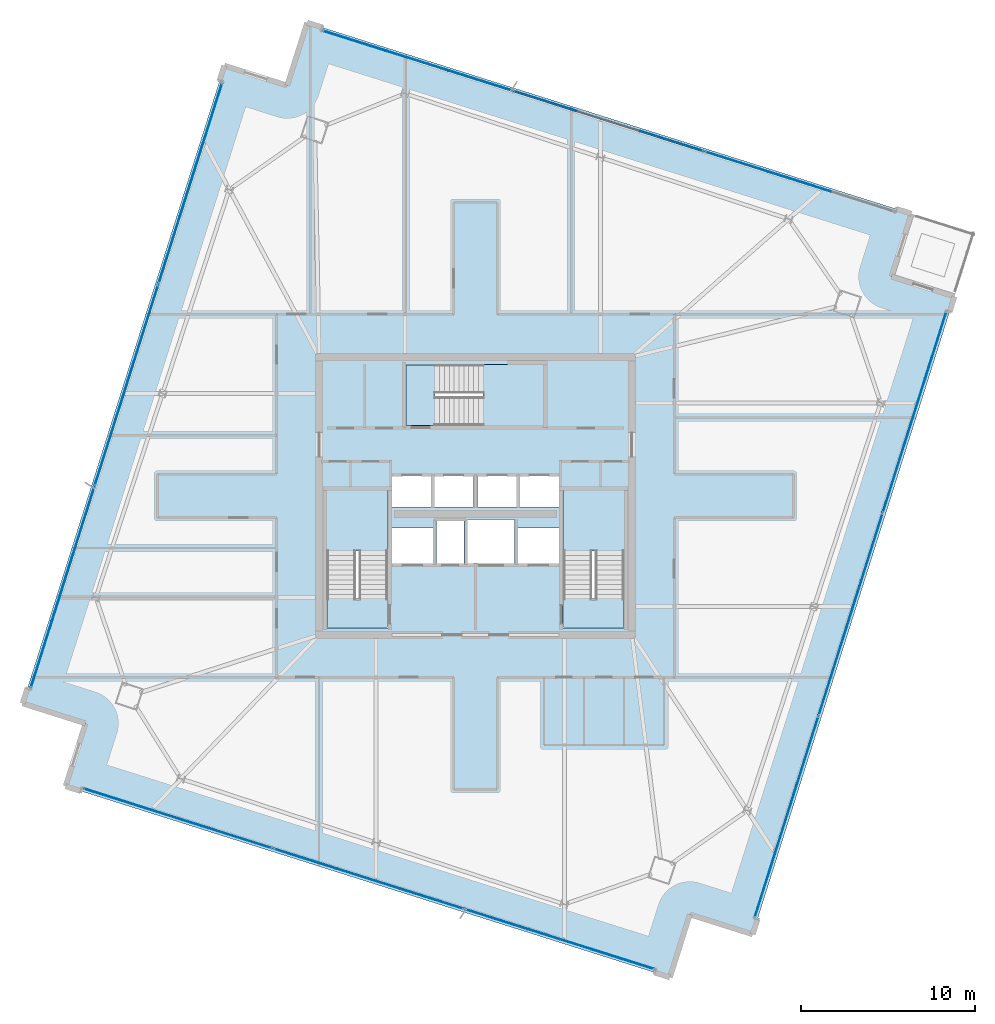
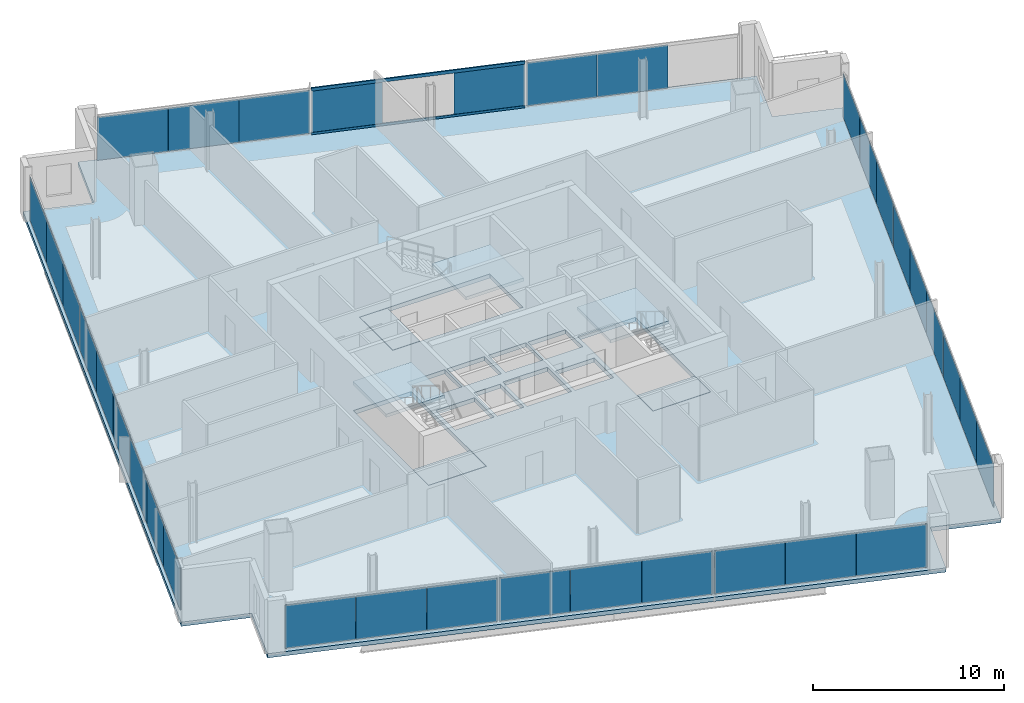
# One storey, part 17 of 26: 34 plates, 7 slabs, 2 members, 7 elements without a shape of their own.
"""IFC4 building model written with IfcOpenShell, lengths in metres."""

from ifc_helpers import new_model, si_unit, direction, frame, origin, origin_2d, place, context, subcontext, project, spatial, polyline, rectangle, hollow_rectangle, outline, extrude, source, transform, mapped, material, layer, layer_set, material_profile, profile_set, type_object, element, aggregate, save


model = new_model("IFC4")

# Units and contexts
model_context = context("Model", 3, precision=1e-05, world=origin(), true_north=direction((0.0, 1.0)))
body_context = subcontext(model_context, "Body", "Model", "MODEL_VIEW")
ifc_project = project(units=[si_unit("LENGTHUNIT", "METRE"), si_unit("AREAUNIT", "SQUARE_METRE"), si_unit("VOLUMEUNIT", "CUBIC_METRE"), si_unit("PLANEANGLEUNIT", "RADIAN"), si_unit("MASSUNIT", "GRAM", prefix="KILO")], contexts=[model_context])

# Site, building, storey
site_placement = place(None, origin())
site = spatial("IfcSite", under=ifc_project, at=site_placement, CompositionType="ELEMENT")
building_placement = place(site_placement, origin())
building = spatial("IfcBuilding", under=site, at=building_placement, Name="Haldenkirk Collegiate Tower", CompositionType="ELEMENT")
storey_placement = place(building_placement, frame((0.0, 0.0, 271.199951171875)))
storey = spatial("IfcBuildingStorey", under=building, at=storey_placement, Name="L68", CompositionType="ELEMENT", Elevation=271.199951171875)

# Curtain wall, members
ifc_material_1 = material(Name="Anodised architectural bronze aluminium", Category="aluminium")
curtain_wall_type_1 = type_object("IfcCurtainWallType", Name="CW-SYS1B-CONVEX-HI", PredefinedType="USERDEFINED", material=ifc_material_1)
curtain_wall_1_placement = place(storey_placement, origin())
curtain_wall_1 = element("IfcCurtainWall", 1, at=curtain_wall_1_placement, inside=storey, type_object=curtain_wall_type_1, Name="L68 Upper tower high-wind convex bronze unitised curtain wall", ObjectType="UNITISED CURTAIN WALL", PredefinedType="USERDEFINED")
ifc_material_profile = material_profile(ifc_material_1, hollow_rectangle(XDim=0.0849609375, YDim=0.199951171875, WallThickness=0.0048828125, at=origin_2d()), Name="CW-TRN-1B")
ifc_profile_set = profile_set([ifc_material_profile], Name="Anodised architectural bronze aluminium")
member_type = type_object("IfcMemberType", Name="CW-TRN-1B", PredefinedType="USERDEFINED", material=ifc_profile_set)
member_1_placement = place(storey_placement, frame((38.17724609375, 49.2978515625, 0.04248046875), z_axis=(0.953459736986, -0.301520364066, 0.0), x_axis=(0.301520364066, 0.953459736986, 0.0)))
member_1 = element("IfcMember", 2, at=member_1_placement, type_object=member_type, Name="CW-1B transom 2.1", ObjectType="TRANSOM", PredefinedType="USERDEFINED", context=body_context, shape_type="SweptSolid", body=[
    extrude(hollow_rectangle(XDim=0.0849609375, YDim=0.199951171875, WallThickness=0.0048828125, at=origin_2d()), origin(), (0.0, 0.0, 1.0), 11.473388671875),
])
member_2_placement = place(storey_placement, frame((38.17724609375, 49.2978515625, 2.8955078125), z_axis=(0.953459736986, -0.301520364066, 0.0), x_axis=(0.301520364066, 0.953459736986, 0.0)))
member_2 = element("IfcMember", 3, at=member_2_placement, type_object=member_type, Name="CW-1B transom 2.2", ObjectType="TRANSOM", PredefinedType="USERDEFINED", context=body_context, shape_type="SweptSolid", body=[
    extrude(hollow_rectangle(XDim=0.0849609375, YDim=0.199951171875, WallThickness=0.0048828125, at=origin_2d()), origin(), (0.0, 0.0, 1.0), 11.473388671875),
])

# Slab
ifc_material_2 = material(Name="Concrete f'c 40 MPa", Category="concrete")
ifc_layer_1 = layer(ifc_material_2, 0.27001953125)
ifc_layer_set_1 = layer_set([ifc_layer_1], Name="Concrete f'c 40 MPa")
slab_type_1 = type_object("IfcSlabType", Name="SLB-FLR-270", PredefinedType="FLOOR", material=ifc_layer_set_1)
slab_1_placement = place(storey_placement, frame((0.0, 0.0, -0.27001953125)))
element("IfcSlab", 4, at=slab_1_placement, inside=storey, type_object=slab_type_1, Name="L68 composite structural floor slab", PredefinedType="FLOOR", context=body_context, shape_type="SweptSolid", body=[
    extrude(outline(polyline([(51.9580078125, 0.763427734375), (63.567138671875, 37.471435546875), (59.944091796875, 38.6171875), (61.08984375, 42.240478515625), (26.312744140625, 53.239013671875), (25.166748046875, 49.61572265625), (21.543701171875, 50.76171875), (9.9345703125, 14.0537109375), (13.5576171875, 12.90771484375), (12.411865234375, 9.28466796875), (47.18896484375, -1.7138671875), (48.3349609375, 1.9091796875), (51.9580078125, 0.763427734375)]), holes=[polyline([(27.449951171875, 18.39990234375), (30.949951171875, 18.39990234375), (30.949951171875, 26.300048828125), (27.449951171875, 26.300048828125), (27.449951171875, 18.39990234375)]), polyline([(41.050048828125, 18.39990234375), (44.550048828125, 18.39990234375), (44.550048828125, 26.300048828125), (41.050048828125, 26.300048828125), (41.050048828125, 18.39990234375)]), polyline([(32.0, 30.050048828125), (39.89990234375, 30.050048828125), (39.89990234375, 33.550048828125), (32.0, 33.550048828125), (32.0, 30.050048828125)]), polyline([(33.75, 22.10009765625), (35.35009765625, 22.10009765625), (35.35009765625, 24.550048828125), (33.75, 24.550048828125), (33.75, 22.10009765625)]), polyline([(31.199951171875, 25.35009765625), (33.47998046875, 25.35009765625), (33.47998046875, 27.14990234375), (31.199951171875, 27.14990234375), (31.199951171875, 25.35009765625)]), polyline([(33.60009765625, 25.35009765625), (35.8798828125, 25.35009765625), (35.8798828125, 27.14990234375), (33.60009765625, 27.14990234375), (33.60009765625, 25.35009765625)]), polyline([(36.1201171875, 25.35009765625), (38.39990234375, 25.35009765625), (38.39990234375, 27.14990234375), (36.1201171875, 27.14990234375), (36.1201171875, 25.35009765625)]), polyline([(38.52001953125, 25.35009765625), (40.800048828125, 25.35009765625), (40.800048828125, 27.14990234375), (38.52001953125, 27.14990234375), (38.52001953125, 25.35009765625)]), polyline([(31.199951171875, 22.10009765625), (33.550048828125, 22.10009765625), (33.550048828125, 24.14990234375), (31.199951171875, 24.14990234375), (31.199951171875, 22.10009765625)]), polyline([(38.449951171875, 22.10009765625), (40.800048828125, 22.10009765625), (40.800048828125, 24.14990234375), (38.449951171875, 24.14990234375), (38.449951171875, 22.10009765625)]), polyline([(35.550048828125, 22.10009765625), (38.25, 22.10009765625), (38.25, 24.64990234375), (35.550048828125, 24.64990234375), (35.550048828125, 22.10009765625)])]), origin(), (0.0, 0.0, 1.0), 0.27001953125),
])

# Stair, slab
stair_type = type_object("IfcStairType", Name="STR-DOGLEG-1650", PredefinedType="HALF_TURN_STAIR", material=ifc_material_2)
stair_1_placement = place(storey_placement, origin())
stair_1 = element("IfcStair", 5, at=stair_1_placement, inside=storey, type_object=stair_type, Name="L68 Core Exit Stair ST-1", PredefinedType="HALF_TURN_STAIR")
ifc_layer_2 = layer(ifc_material_2, 0.199951171875)
ifc_layer_set_2 = layer_set([ifc_layer_2], Name="Concrete f'c 40 MPa")
slab_type_2 = type_object("IfcSlabType", Name="SLB-LANDING-200", PredefinedType="LANDING", material=ifc_layer_set_2)
slab_2_placement = place(storey_placement, frame((0.0, 0.0, 1.675048828125)))
slab_2 = element("IfcSlab", 6, at=slab_2_placement, type_object=slab_type_2, Name="ST-1 landing 1", PredefinedType="LANDING", context=body_context, shape_type="SweptSolid", body=[
    extrude(outline(polyline([(30.97509765625, 22.824951171875), (27.425048828125, 22.824951171875), (27.425048828125, 26.324951171875), (30.97509765625, 26.324951171875), (30.97509765625, 22.824951171875)])), origin(), (0.0, 0.0, 1.0), 0.199951171875),
])
aggregate(stair_1, [slab_2])

stair_2_placement = place(storey_placement, origin())
stair_2 = element("IfcStair", 7, at=stair_2_placement, inside=storey, type_object=stair_type, Name="L68 Core Exit Stair ST-2", PredefinedType="HALF_TURN_STAIR")
slab_3_placement = place(storey_placement, frame((0.0, 0.0, 1.675048828125)))
slab_3 = element("IfcSlab", 8, at=slab_3_placement, type_object=slab_type_2, Name="ST-2 landing 1", PredefinedType="LANDING", context=body_context, shape_type="SweptSolid", body=[
    extrude(outline(polyline([(44.574951171875, 22.824951171875), (41.02490234375, 22.824951171875), (41.02490234375, 26.324951171875), (44.574951171875, 26.324951171875), (44.574951171875, 22.824951171875)])), origin(), (0.0, 0.0, 1.0), 0.199951171875),
])
aggregate(stair_2, [slab_3])

stair_3_placement = place(storey_placement, origin())
stair_3 = element("IfcStair", 9, at=stair_3_placement, inside=storey, type_object=stair_type, Name="L68 Core Exit Stair ST-3", PredefinedType="HALF_TURN_STAIR")
slab_4_placement = place(storey_placement, frame((0.0, 0.0, 1.675048828125)))
slab_4 = element("IfcSlab", 10, at=slab_4_placement, type_object=slab_type_2, Name="ST-3 landing 1", PredefinedType="LANDING", context=body_context, shape_type="SweptSolid", body=[
    extrude(outline(polyline([(36.425048828125, 30.02490234375), (36.425048828125, 33.574951171875), (39.925048828125, 33.574951171875), (39.925048828125, 30.02490234375), (36.425048828125, 30.02490234375)])), origin(), (0.0, 0.0, 1.0), 0.199951171875),
])
aggregate(stair_3, [slab_4])

# Slabs
ifc_layer_3 = layer(ifc_material_2, 0.25)
ifc_layer_set_3 = layer_set([ifc_layer_3], Name="Concrete f'c 40 MPa")
slab_type_3 = type_object("IfcSlabType", Name="SLB-STAIRLAND-250", PredefinedType="LANDING", material=ifc_layer_set_3)
slab_5_placement = place(storey_placement, frame((0.0, 0.0, -0.25)))
element("IfcSlab", 11, at=slab_5_placement, inside=storey, type_object=slab_type_3, Name="L68 stair ST1 structural floor landing slab", PredefinedType="LANDING", context=body_context, shape_type="SweptSolid", body=[
    extrude(outline(polyline([(27.4599609375, 18.409912109375), (30.93994140625, 18.409912109375), (30.93994140625, 20.080078125), (27.4599609375, 20.080078125), (27.4599609375, 18.409912109375)])), origin(), (0.0, 0.0, 1.0), 0.25),
])
slab_6_placement = place(storey_placement, frame((0.0, 0.0, -0.25)))
element("IfcSlab", 12, at=slab_6_placement, inside=storey, type_object=slab_type_3, Name="L68 stair ST2 structural floor landing slab", PredefinedType="LANDING", context=body_context, shape_type="SweptSolid", body=[
    extrude(outline(polyline([(41.06005859375, 18.409912109375), (44.5400390625, 18.409912109375), (44.5400390625, 20.080078125), (41.06005859375, 20.080078125), (41.06005859375, 18.409912109375)])), origin(), (0.0, 0.0, 1.0), 0.25),
])
slab_7_placement = place(storey_placement, frame((0.0, 0.0, -0.25)))
element("IfcSlab", 13, at=slab_7_placement, inside=storey, type_object=slab_type_3, Name="L68 stair ST3 structural floor landing slab", PredefinedType="LANDING", context=body_context, shape_type="SweptSolid", body=[
    extrude(outline(polyline([(32.010009765625, 30.06005859375), (33.679931640625, 30.06005859375), (33.679931640625, 33.5400390625), (32.010009765625, 33.5400390625), (32.010009765625, 30.06005859375)])), origin(), (0.0, 0.0, 1.0), 0.25),
])

# Curtain wall, plates
curtain_wall_type_2 = type_object("IfcCurtainWallType", Name="CW-SYS2-CONCAVE", PredefinedType="USERDEFINED", material=ifc_material_1)
curtain_wall_2_placement = place(storey_placement, origin())
curtain_wall_2 = element("IfcCurtainWall", 14, at=curtain_wall_2_placement, inside=storey, type_object=curtain_wall_type_2, Name="L68 South concave recessed bronze-anodised curtain wall", ObjectType="UNITISED CURTAIN WALL", PredefinedType="USERDEFINED")
ifc_material_3 = material(Name="Low-E argon triple insulating glass", Category="glass")
ifc_layer_4 = layer(ifc_material_3, 0.0419921875)
ifc_layer_set_4 = layer_set([ifc_layer_4], Name="Low-E argon triple insulating glass")
plate_type_1 = type_object("IfcPlateType", Name="CW-PNL-02", PredefinedType="CURTAIN_PANEL", material=ifc_layer_set_4)
shared_shape_1 = source(origin(), body_context, "Body", "SweptSolid", [
    extrude(rectangle(XDim=4.02783203125, YDim=0.0419921875, at=origin_2d()), origin(), (0.0, 0.0, 1.0), 2.7880859375),
])
plate_1_placement = place(storey_placement, frame((62.494384765625, 34.67578125, 0.074951171875), z_axis=(0.0, 0.0, 1.0), x_axis=(-0.301536641884, -0.953454589166, 0.0)))
plate_1 = element("IfcPlate", 15, at=plate_1_placement, type_object=plate_type_1, Name="CW-02 panel 1.1a", PredefinedType="CURTAIN_PANEL", context=body_context, shape_type="MappedRepresentation", body=[
    mapped(shared_shape_1, transform((0.0, 0.0, 0.0), x_axis=(1.0, 0.0, 0.0), y_axis=(0.0, 1.0, 0.0), z_axis=(0.0, 0.0, 1.0), scale=1.0)),
])
ifc_material_4 = material(Name="Bronze-anodised insulated aluminium spandrel panel", Category="aluminium")
ifc_layer_5 = layer(ifc_material_4, 0.0419921875)
ifc_layer_set_5 = layer_set([ifc_layer_5], Name="Bronze-anodised insulated aluminium spandrel panel")
plate_type_2 = type_object("IfcPlateType", Name="CW-SPD-02", PredefinedType="CURTAIN_PANEL", material=ifc_layer_set_5)
plate_2_placement = place(storey_placement, frame((60.053955078125, 26.959716796875, 0.074951171875), z_axis=(0.0, 0.0, 1.0), x_axis=(-0.301536641884, -0.953454589166, 0.0)))
plate_2 = element("IfcPlate", 16, at=plate_2_placement, type_object=plate_type_2, Name="CW-02 spandrel panel 1.1c", PredefinedType="CURTAIN_PANEL", context=body_context, shape_type="MappedRepresentation", body=[
    mapped(shared_shape_1, transform((0.0, 0.0, 0.0), x_axis=(1.0, 0.0, 0.0), y_axis=(0.0, 1.0, 0.0), z_axis=(0.0, 0.0, 1.0), scale=1.0)),
])
plate_3_placement = place(storey_placement, frame((57.591064453125, 19.171630859375, 0.074951171875), z_axis=(0.0, 0.0, 1.0), x_axis=(-0.301536641884, -0.953454589166, 0.0)))
plate_3 = element("IfcPlate", 17, at=plate_3_placement, type_object=plate_type_1, Name="CW-02 panel 2.1b", PredefinedType="CURTAIN_PANEL", context=body_context, shape_type="MappedRepresentation", body=[
    mapped(shared_shape_1, transform((0.0, 0.0, 0.0), x_axis=(1.0, 0.0, 0.0), y_axis=(0.0, 1.0, 0.0), z_axis=(0.0, 0.0, 1.0), scale=1.0)),
])
plate_4_placement = place(storey_placement, frame((55.1279296875, 11.3837890625, 0.074951171875), z_axis=(0.0, 0.0, 1.0), x_axis=(-0.301536641884, -0.953454589166, 0.0)))
plate_4 = element("IfcPlate", 18, at=plate_4_placement, type_object=plate_type_2, Name="CW-02 spandrel panel 3.1a", PredefinedType="CURTAIN_PANEL", context=body_context, shape_type="MappedRepresentation", body=[
    mapped(shared_shape_1, transform((0.0, 0.0, 0.0), x_axis=(1.0, 0.0, 0.0), y_axis=(0.0, 1.0, 0.0), z_axis=(0.0, 0.0, 1.0), scale=1.0)),
])
plate_5_placement = place(storey_placement, frame((52.687744140625, 3.66748046875, 0.074951171875), z_axis=(0.0, 0.0, 1.0), x_axis=(-0.301536641884, -0.953454589166, 0.0)))
plate_5 = element("IfcPlate", 19, at=plate_5_placement, type_object=plate_type_1, Name="CW-02 panel 3.1c", PredefinedType="CURTAIN_PANEL", context=body_context, shape_type="MappedRepresentation", body=[
    mapped(shared_shape_1, transform((0.0, 0.0, 0.0), x_axis=(1.0, 0.0, 0.0), y_axis=(0.0, 1.0, 0.0), z_axis=(0.0, 0.0, 1.0), scale=1.0)),
])
shared_shape_2 = source(origin(), body_context, "Body", "SweptSolid", [
    extrude(rectangle(XDim=4.015380859375, YDim=0.0419921875, at=origin_2d()), origin(), (0.0, 0.0, 1.0), 2.7880859375),
])
plate_6_placement = place(storey_placement, frame((61.274169921875, 30.81787109375, 0.074951171875), z_axis=(0.0, 0.0, 1.0), x_axis=(-0.301536641884, -0.953454589166, 0.0)))
plate_6 = element("IfcPlate", 20, at=plate_6_placement, type_object=plate_type_1, Name="CW-02 panel 1.1b", PredefinedType="CURTAIN_PANEL", context=body_context, shape_type="MappedRepresentation", body=[
    mapped(shared_shape_2, transform((0.0, 0.0, 0.0), x_axis=(1.0, 0.0, 0.0), y_axis=(0.0, 1.0, 0.0), z_axis=(0.0, 0.0, 1.0), scale=1.0)),
])
plate_7_placement = place(storey_placement, frame((53.907958984375, 7.525634765625, 0.074951171875), z_axis=(0.0, 0.0, 1.0), x_axis=(-0.301536641884, -0.953454589166, 0.0)))
plate_7 = element("IfcPlate", 21, at=plate_7_placement, type_object=plate_type_1, Name="CW-02 panel 3.1b", PredefinedType="CURTAIN_PANEL", context=body_context, shape_type="MappedRepresentation", body=[
    mapped(shared_shape_2, transform((0.0, 0.0, 0.0), x_axis=(1.0, 0.0, 0.0), y_axis=(0.0, 1.0, 0.0), z_axis=(0.0, 0.0, 1.0), scale=1.0)),
])
shared_shape_3 = source(origin(), body_context, "Body", "SweptSolid", [
    extrude(rectangle(XDim=4.040283203125, YDim=0.0419921875, at=origin_2d()), origin(), (0.0, 0.0, 1.0), 2.7880859375),
])
plate_8_placement = place(storey_placement, frame((58.81494140625, 23.041748046875, 0.074951171875), z_axis=(0.0, 0.0, 1.0), x_axis=(-0.301536641884, -0.953454589166, 0.0)))
plate_8 = element("IfcPlate", 22, at=plate_8_placement, type_object=plate_type_2, Name="CW-02 spandrel panel 2.1a", PredefinedType="CURTAIN_PANEL", context=body_context, shape_type="MappedRepresentation", body=[
    mapped(shared_shape_3, transform((0.0, 0.0, 0.0), x_axis=(1.0, 0.0, 0.0), y_axis=(0.0, 1.0, 0.0), z_axis=(0.0, 0.0, 1.0), scale=1.0)),
])
plate_9_placement = place(storey_placement, frame((56.3671875, 15.301513671875, 0.074951171875), z_axis=(0.0, 0.0, 1.0), x_axis=(-0.301536641884, -0.953454589166, 0.0)))
plate_9 = element("IfcPlate", 23, at=plate_9_placement, type_object=plate_type_2, Name="CW-02 spandrel panel 2.1c", PredefinedType="CURTAIN_PANEL", context=body_context, shape_type="MappedRepresentation", body=[
    mapped(shared_shape_3, transform((0.0, 0.0, 0.0), x_axis=(1.0, 0.0, 0.0), y_axis=(0.0, 1.0, 0.0), z_axis=(0.0, 0.0, 1.0), scale=1.0)),
])
aggregate(curtain_wall_2, [plate_1, plate_6, plate_2, plate_8, plate_3, plate_9, plate_4, plate_7, plate_5])

# Plate
ifc_layer_6 = layer(ifc_material_3, 0.048095703125)
ifc_layer_set_6 = layer_set([ifc_layer_6], Name="Low-E argon triple insulating glass")
plate_type_3 = type_object("IfcPlateType", Name="CW-PNL-1B", PredefinedType="CURTAIN_PANEL", material=ifc_layer_set_6)
shared_shape_4 = source(origin(), body_context, "Body", "SweptSolid", [
    extrude(rectangle(XDim=3.7978515625, YDim=0.048095703125, at=origin_2d()), origin(), (0.0, 0.0, 1.0), 2.76806640625),
])
plate_10_placement = place(storey_placement, frame((29.008056640625, 52.19775390625, 0.0849609375), z_axis=(0.0, 0.0, 1.0), x_axis=(0.95345434936, -0.301537400144, 0.0)))
plate_10 = element("IfcPlate", 24, at=plate_10_placement, type_object=plate_type_3, Name="CW-1B panel 1.1a", PredefinedType="CURTAIN_PANEL", context=body_context, shape_type="MappedRepresentation", body=[
    mapped(shared_shape_4, transform((0.0, 0.0, 0.0), x_axis=(1.0, 0.0, 0.0), y_axis=(0.0, 1.0, 0.0), z_axis=(0.0, 0.0, 1.0), scale=1.0)),
])

ifc_layer_7 = layer(ifc_material_4, 0.048095703125)
ifc_layer_set_7 = layer_set([ifc_layer_7], Name="Bronze-anodised insulated aluminium spandrel panel")
plate_type_4 = type_object("IfcPlateType", Name="CW-SPD-1B", PredefinedType="CURTAIN_PANEL", material=ifc_layer_set_7)
plate_11_placement = place(storey_placement, frame((36.285888671875, 49.89599609375, 0.0849609375), z_axis=(0.0, 0.0, 1.0), x_axis=(0.95345434936, -0.301537400144, 0.0)))
plate_11 = element("IfcPlate", 25, at=plate_11_placement, type_object=plate_type_4, Name="CW-1B spandrel panel 1.1c", PredefinedType="CURTAIN_PANEL", context=body_context, shape_type="MappedRepresentation", body=[
    mapped(shared_shape_4, transform((0.0, 0.0, 0.0), x_axis=(1.0, 0.0, 0.0), y_axis=(0.0, 1.0, 0.0), z_axis=(0.0, 0.0, 1.0), scale=1.0)),
])

plate_12_placement = place(storey_placement, frame((51.00830078125, 45.239990234375, 0.0849609375), z_axis=(0.0, 0.0, 1.0), x_axis=(0.95345434936, -0.301537400144, 0.0)))
plate_12 = element("IfcPlate", 26, at=plate_12_placement, type_object=plate_type_4, Name="CW-1B spandrel panel 3.1a", PredefinedType="CURTAIN_PANEL", context=body_context, shape_type="MappedRepresentation", body=[
    mapped(shared_shape_4, transform((0.0, 0.0, 0.0), x_axis=(1.0, 0.0, 0.0), y_axis=(0.0, 1.0, 0.0), z_axis=(0.0, 0.0, 1.0), scale=1.0)),
])

# Curtain wall, plates
curtain_wall_3_placement = place(storey_placement, origin())
curtain_wall_3 = element("IfcCurtainWall", 27, at=curtain_wall_3_placement, inside=storey, type_object=curtain_wall_type_1, Name="L68 Upper tower high-wind convex bronze unitised curtain wall", ObjectType="UNITISED CURTAIN WALL", PredefinedType="USERDEFINED")
plate_13_placement = place(storey_placement, frame((44.49365234375, -0.672607421875, 0.0849609375), z_axis=(0.0, 0.0, 1.0), x_axis=(-0.95345434936, 0.301537400144, 0.0)))
plate_13 = element("IfcPlate", 28, at=plate_13_placement, type_object=plate_type_3, Name="CW-1B panel 1.1a", PredefinedType="CURTAIN_PANEL", context=body_context, shape_type="MappedRepresentation", body=[
    mapped(shared_shape_4, transform((0.0, 0.0, 0.0), x_axis=(1.0, 0.0, 0.0), y_axis=(0.0, 1.0, 0.0), z_axis=(0.0, 0.0, 1.0), scale=1.0)),
])
plate_14_placement = place(storey_placement, frame((37.2158203125, 1.62890625, 0.0849609375), z_axis=(0.0, 0.0, 1.0), x_axis=(-0.95345434936, 0.301537400144, 0.0)))
plate_14 = element("IfcPlate", 29, at=plate_14_placement, type_object=plate_type_4, Name="CW-1B spandrel panel 1.1c", PredefinedType="CURTAIN_PANEL", context=body_context, shape_type="MappedRepresentation", body=[
    mapped(shared_shape_4, transform((0.0, 0.0, 0.0), x_axis=(1.0, 0.0, 0.0), y_axis=(0.0, 1.0, 0.0), z_axis=(0.0, 0.0, 1.0), scale=1.0)),
])
plate_15_placement = place(storey_placement, frame((22.493408203125, 6.284912109375, 0.0849609375), z_axis=(0.0, 0.0, 1.0), x_axis=(-0.95345434936, 0.301537400144, 0.0)))
plate_15 = element("IfcPlate", 30, at=plate_15_placement, type_object=plate_type_4, Name="CW-1B spandrel panel 3.1a", PredefinedType="CURTAIN_PANEL", context=body_context, shape_type="MappedRepresentation", body=[
    mapped(shared_shape_4, transform((0.0, 0.0, 0.0), x_axis=(1.0, 0.0, 0.0), y_axis=(0.0, 1.0, 0.0), z_axis=(0.0, 0.0, 1.0), scale=1.0)),
])
plate_16_placement = place(storey_placement, frame((15.2158203125, 8.586669921875, 0.0849609375), z_axis=(0.0, 0.0, 1.0), x_axis=(-0.95345434936, 0.301537400144, 0.0)))
plate_16 = element("IfcPlate", 31, at=plate_16_placement, type_object=plate_type_3, Name="CW-1B panel 3.1c", PredefinedType="CURTAIN_PANEL", context=body_context, shape_type="MappedRepresentation", body=[
    mapped(shared_shape_4, transform((0.0, 0.0, 0.0), x_axis=(1.0, 0.0, 0.0), y_axis=(0.0, 1.0, 0.0), z_axis=(0.0, 0.0, 1.0), scale=1.0)),
])

# Plate
shared_shape_5 = source(origin(), body_context, "Body", "SweptSolid", [
    extrude(rectangle(XDim=3.785400390625, YDim=0.048095703125, at=origin_2d()), origin(), (0.0, 0.0, 1.0), 2.76806640625),
])
plate_17_placement = place(storey_placement, frame((32.64697265625, 51.047119140625, 0.0849609375), z_axis=(0.0, 0.0, 1.0), x_axis=(0.95345434936, -0.301537400144, 0.0)))
plate_17 = element("IfcPlate", 32, at=plate_17_placement, type_object=plate_type_3, Name="CW-1B panel 1.1b", PredefinedType="CURTAIN_PANEL", context=body_context, shape_type="MappedRepresentation", body=[
    mapped(shared_shape_5, transform((0.0, 0.0, 0.0), x_axis=(1.0, 0.0, 0.0), y_axis=(0.0, 1.0, 0.0), z_axis=(0.0, 0.0, 1.0), scale=1.0)),
])

plate_18_placement = place(storey_placement, frame((54.647216796875, 44.089111328125, 0.0849609375), z_axis=(0.0, 0.0, 1.0), x_axis=(0.95345434936, -0.301537400144, 0.0)))
plate_18 = element("IfcPlate", 33, at=plate_18_placement, type_object=plate_type_3, Name="CW-1B panel 3.1b", PredefinedType="CURTAIN_PANEL", context=body_context, shape_type="MappedRepresentation", body=[
    mapped(shared_shape_5, transform((0.0, 0.0, 0.0), x_axis=(1.0, 0.0, 0.0), y_axis=(0.0, 1.0, 0.0), z_axis=(0.0, 0.0, 1.0), scale=1.0)),
])

plate_19_placement = place(storey_placement, frame((40.854736328125, 0.47802734375, 0.0849609375), z_axis=(0.0, 0.0, 1.0), x_axis=(-0.95345434936, 0.301537400144, 0.0)))
plate_19 = element("IfcPlate", 34, at=plate_19_placement, type_object=plate_type_3, Name="CW-1B panel 1.1b", PredefinedType="CURTAIN_PANEL", context=body_context, shape_type="MappedRepresentation", body=[
    mapped(shared_shape_5, transform((0.0, 0.0, 0.0), x_axis=(1.0, 0.0, 0.0), y_axis=(0.0, 1.0, 0.0), z_axis=(0.0, 0.0, 1.0), scale=1.0)),
])

plate_20_placement = place(storey_placement, frame((18.8544921875, 7.435791015625, 0.0849609375), z_axis=(0.0, 0.0, 1.0), x_axis=(-0.95345434936, 0.301537400144, 0.0)))
plate_20 = element("IfcPlate", 35, at=plate_20_placement, type_object=plate_type_3, Name="CW-1B panel 3.1b", PredefinedType="CURTAIN_PANEL", context=body_context, shape_type="MappedRepresentation", body=[
    mapped(shared_shape_5, transform((0.0, 0.0, 0.0), x_axis=(1.0, 0.0, 0.0), y_axis=(0.0, 1.0, 0.0), z_axis=(0.0, 0.0, 1.0), scale=1.0)),
])

shared_shape_6 = source(origin(), body_context, "Body", "SweptSolid", [
    extrude(rectangle(XDim=3.81201171875, YDim=0.048095703125, at=origin_2d()), origin(), (0.0, 0.0, 1.0), 2.76806640625),
])
plate_21_placement = place(storey_placement, frame((39.99462890625, 48.72314453125, 0.0849609375), z_axis=(0.0, 0.0, 1.0), x_axis=(0.95345434936, -0.301537400144, 0.0)))
plate_21 = element("IfcPlate", 36, at=plate_21_placement, type_object=plate_type_4, Name="CW-1B spandrel panel 2.1a", PredefinedType="CURTAIN_PANEL", context=body_context, shape_type="MappedRepresentation", body=[
    mapped(shared_shape_6, transform((0.0, 0.0, 0.0), x_axis=(1.0, 0.0, 0.0), y_axis=(0.0, 1.0, 0.0), z_axis=(0.0, 0.0, 1.0), scale=1.0)),
])

plate_22_placement = place(storey_placement, frame((47.29931640625, 46.4130859375, 0.0849609375), z_axis=(0.0, 0.0, 1.0), x_axis=(0.95345434936, -0.301537400144, 0.0)))
plate_22 = element("IfcPlate", 37, at=plate_22_placement, type_object=plate_type_4, Name="CW-1B spandrel panel 2.1c", PredefinedType="CURTAIN_PANEL", context=body_context, shape_type="MappedRepresentation", body=[
    mapped(shared_shape_6, transform((0.0, 0.0, 0.0), x_axis=(1.0, 0.0, 0.0), y_axis=(0.0, 1.0, 0.0), z_axis=(0.0, 0.0, 1.0), scale=1.0)),
])

aggregate(curtain_wall_1, [plate_10, plate_17, plate_11, member_1, member_2, plate_21, plate_22, plate_12, plate_18])

plate_23_placement = place(storey_placement, frame((33.507080078125, 2.802001953125, 0.0849609375), z_axis=(0.0, 0.0, 1.0), x_axis=(-0.95345434936, 0.301537400144, 0.0)))
plate_23 = element("IfcPlate", 38, at=plate_23_placement, type_object=plate_type_4, Name="CW-1B spandrel panel 2.1a", PredefinedType="CURTAIN_PANEL", context=body_context, shape_type="MappedRepresentation", body=[
    mapped(shared_shape_6, transform((0.0, 0.0, 0.0), x_axis=(1.0, 0.0, 0.0), y_axis=(0.0, 1.0, 0.0), z_axis=(0.0, 0.0, 1.0), scale=1.0)),
])

plate_24_placement = place(storey_placement, frame((26.202392578125, 5.112060546875, 0.0849609375), z_axis=(0.0, 0.0, 1.0), x_axis=(-0.95345434936, 0.301537400144, 0.0)))
plate_24 = element("IfcPlate", 39, at=plate_24_placement, type_object=plate_type_4, Name="CW-1B spandrel panel 2.1c", PredefinedType="CURTAIN_PANEL", context=body_context, shape_type="MappedRepresentation", body=[
    mapped(shared_shape_6, transform((0.0, 0.0, 0.0), x_axis=(1.0, 0.0, 0.0), y_axis=(0.0, 1.0, 0.0), z_axis=(0.0, 0.0, 1.0), scale=1.0)),
])

shared_shape_7 = source(origin(), body_context, "Body", "SweptSolid", [
    extrude(rectangle(XDim=3.79931640625, YDim=0.048095703125, at=origin_2d()), origin(), (0.0, 0.0, 1.0), 2.76806640625),
])
plate_25_placement = place(storey_placement, frame((29.854736328125, 3.95703125, 0.0849609375), z_axis=(0.0, 0.0, 1.0), x_axis=(-0.95345434936, 0.301537400144, 0.0)))
plate_25 = element("IfcPlate", 40, at=plate_25_placement, type_object=plate_type_3, Name="CW-1B panel 2.1b", PredefinedType="CURTAIN_PANEL", context=body_context, shape_type="MappedRepresentation", body=[
    mapped(shared_shape_7, transform((0.0, 0.0, 0.0), x_axis=(1.0, 0.0, 0.0), y_axis=(0.0, 1.0, 0.0), z_axis=(0.0, 0.0, 1.0), scale=1.0)),
])

aggregate(curtain_wall_3, [plate_13, plate_19, plate_14, plate_23, plate_25, plate_24, plate_15, plate_20, plate_16])

# Curtain wall, plates
curtain_wall_4_placement = place(storey_placement, origin())
curtain_wall_4 = element("IfcCurtainWall", 41, at=curtain_wall_4_placement, inside=storey, type_object=curtain_wall_type_1, Name="L68 Upper tower high-wind convex bronze unitised curtain wall", ObjectType="UNITISED CURTAIN WALL", PredefinedType="USERDEFINED")
shared_shape_8 = source(origin(), body_context, "Body", "SweptSolid", [
    extrude(rectangle(XDim=4.022705078125, YDim=0.048095703125, at=origin_2d()), origin(), (0.0, 0.0, 1.0), 2.76806640625),
])
plate_26_placement = place(storey_placement, frame((11.009521484375, 16.856201171875, 0.0849609375), z_axis=(0.0, 0.0, 1.0), x_axis=(0.301536641884, 0.953454589166, 0.0)))
plate_26 = element("IfcPlate", 42, at=plate_26_placement, type_object=plate_type_3, Name="CW-1B panel 1.1a", PredefinedType="CURTAIN_PANEL", context=body_context, shape_type="MappedRepresentation", body=[
    mapped(shared_shape_8, transform((0.0, 0.0, 0.0), x_axis=(1.0, 0.0, 0.0), y_axis=(0.0, 1.0, 0.0), z_axis=(0.0, 0.0, 1.0), scale=1.0)),
])
plate_27_placement = place(storey_placement, frame((13.447021484375, 24.56298828125, 0.0849609375), z_axis=(0.0, 0.0, 1.0), x_axis=(0.301536641884, 0.953454589166, 0.0)))
plate_27 = element("IfcPlate", 43, at=plate_27_placement, type_object=plate_type_4, Name="CW-1B spandrel panel 1.1c", PredefinedType="CURTAIN_PANEL", context=body_context, shape_type="MappedRepresentation", body=[
    mapped(shared_shape_8, transform((0.0, 0.0, 0.0), x_axis=(1.0, 0.0, 0.0), y_axis=(0.0, 1.0, 0.0), z_axis=(0.0, 0.0, 1.0), scale=1.0)),
])
plate_28_placement = place(storey_placement, frame((18.37451171875, 40.143798828125, 0.0849609375), z_axis=(0.0, 0.0, 1.0), x_axis=(0.301536641884, 0.953454589166, 0.0)))
plate_28 = element("IfcPlate", 44, at=plate_28_placement, type_object=plate_type_4, Name="CW-1B spandrel panel 3.1a", PredefinedType="CURTAIN_PANEL", context=body_context, shape_type="MappedRepresentation", body=[
    mapped(shared_shape_8, transform((0.0, 0.0, 0.0), x_axis=(1.0, 0.0, 0.0), y_axis=(0.0, 1.0, 0.0), z_axis=(0.0, 0.0, 1.0), scale=1.0)),
])
plate_29_placement = place(storey_placement, frame((20.811767578125, 47.8505859375, 0.0849609375), z_axis=(0.0, 0.0, 1.0), x_axis=(0.301536641884, 0.953454589166, 0.0)))
plate_29 = element("IfcPlate", 45, at=plate_29_placement, type_object=plate_type_3, Name="CW-1B panel 3.1c", PredefinedType="CURTAIN_PANEL", context=body_context, shape_type="MappedRepresentation", body=[
    mapped(shared_shape_8, transform((0.0, 0.0, 0.0), x_axis=(1.0, 0.0, 0.0), y_axis=(0.0, 1.0, 0.0), z_axis=(0.0, 0.0, 1.0), scale=1.0)),
])
shared_shape_9 = source(origin(), body_context, "Body", "SweptSolid", [
    extrude(rectangle(XDim=4.01025390625, YDim=0.048095703125, at=origin_2d()), origin(), (0.0, 0.0, 1.0), 2.76806640625),
])
plate_30_placement = place(storey_placement, frame((12.228271484375, 20.709716796875, 0.0849609375), z_axis=(0.0, 0.0, 1.0), x_axis=(0.301536641884, 0.953454589166, 0.0)))
plate_30 = element("IfcPlate", 46, at=plate_30_placement, type_object=plate_type_4, Name="CW-1B spandrel panel 1.1b", PredefinedType="CURTAIN_PANEL", context=body_context, shape_type="MappedRepresentation", body=[
    mapped(shared_shape_9, transform((0.0, 0.0, 0.0), x_axis=(1.0, 0.0, 0.0), y_axis=(0.0, 1.0, 0.0), z_axis=(0.0, 0.0, 1.0), scale=1.0)),
])
plate_31_placement = place(storey_placement, frame((19.593017578125, 43.9970703125, 0.0849609375), z_axis=(0.0, 0.0, 1.0), x_axis=(0.301536641884, 0.953454589166, 0.0)))
plate_31 = element("IfcPlate", 47, at=plate_31_placement, type_object=plate_type_3, Name="CW-1B panel 3.1b", PredefinedType="CURTAIN_PANEL", context=body_context, shape_type="MappedRepresentation", body=[
    mapped(shared_shape_9, transform((0.0, 0.0, 0.0), x_axis=(1.0, 0.0, 0.0), y_axis=(0.0, 1.0, 0.0), z_axis=(0.0, 0.0, 1.0), scale=1.0)),
])
shared_shape_10 = source(origin(), body_context, "Body", "SweptSolid", [
    extrude(rectangle(XDim=4.036865234375, YDim=0.048095703125, at=origin_2d()), origin(), (0.0, 0.0, 1.0), 2.76806640625),
])
plate_32_placement = place(storey_placement, frame((14.687744140625, 28.486572265625, 0.0849609375), z_axis=(0.0, 0.0, 1.0), x_axis=(0.301536641884, 0.953454589166, 0.0)))
plate_32 = element("IfcPlate", 48, at=plate_32_placement, type_object=plate_type_3, Name="CW-1B panel 2.1a", PredefinedType="CURTAIN_PANEL", context=body_context, shape_type="MappedRepresentation", body=[
    mapped(shared_shape_10, transform((0.0, 0.0, 0.0), x_axis=(1.0, 0.0, 0.0), y_axis=(0.0, 1.0, 0.0), z_axis=(0.0, 0.0, 1.0), scale=1.0)),
])
plate_33_placement = place(storey_placement, frame((17.133544921875, 36.22021484375, 0.0849609375), z_axis=(0.0, 0.0, 1.0), x_axis=(0.301536641884, 0.953454589166, 0.0)))
plate_33 = element("IfcPlate", 49, at=plate_33_placement, type_object=plate_type_4, Name="CW-1B spandrel panel 2.1c", PredefinedType="CURTAIN_PANEL", context=body_context, shape_type="MappedRepresentation", body=[
    mapped(shared_shape_10, transform((0.0, 0.0, 0.0), x_axis=(1.0, 0.0, 0.0), y_axis=(0.0, 1.0, 0.0), z_axis=(0.0, 0.0, 1.0), scale=1.0)),
])
shared_shape_11 = source(origin(), body_context, "Body", "SweptSolid", [
    extrude(rectangle(XDim=4.0244140625, YDim=0.048095703125, at=origin_2d()), origin(), (0.0, 0.0, 1.0), 2.76806640625),
])
plate_34_placement = place(storey_placement, frame((15.91064453125, 32.353515625, 0.0849609375), z_axis=(0.0, 0.0, 1.0), x_axis=(0.301536641884, 0.953454589166, 0.0)))
plate_34 = element("IfcPlate", 50, at=plate_34_placement, type_object=plate_type_4, Name="CW-1B spandrel panel 2.1b", PredefinedType="CURTAIN_PANEL", context=body_context, shape_type="MappedRepresentation", body=[
    mapped(shared_shape_11, transform((0.0, 0.0, 0.0), x_axis=(1.0, 0.0, 0.0), y_axis=(0.0, 1.0, 0.0), z_axis=(0.0, 0.0, 1.0), scale=1.0)),
])
aggregate(curtain_wall_4, [plate_26, plate_30, plate_27, plate_32, plate_34, plate_33, plate_28, plate_31, plate_29])

save(model, "model.ifc")
